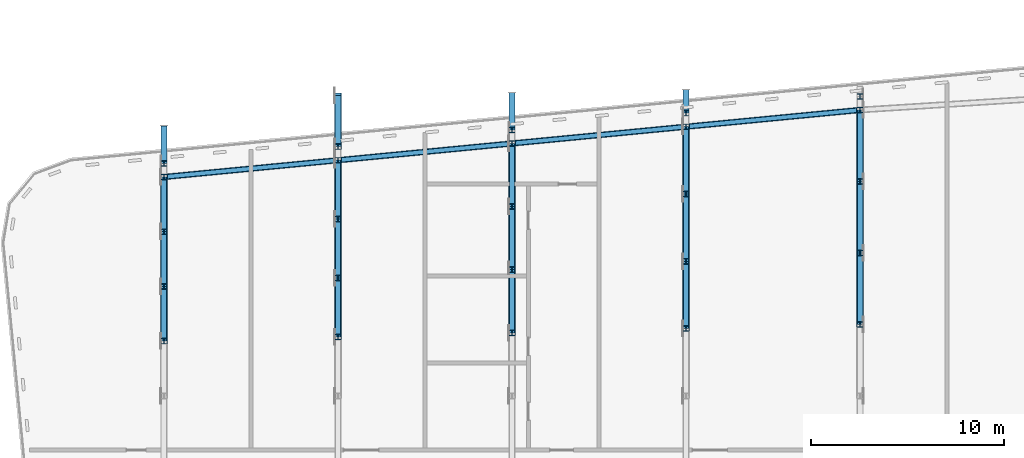
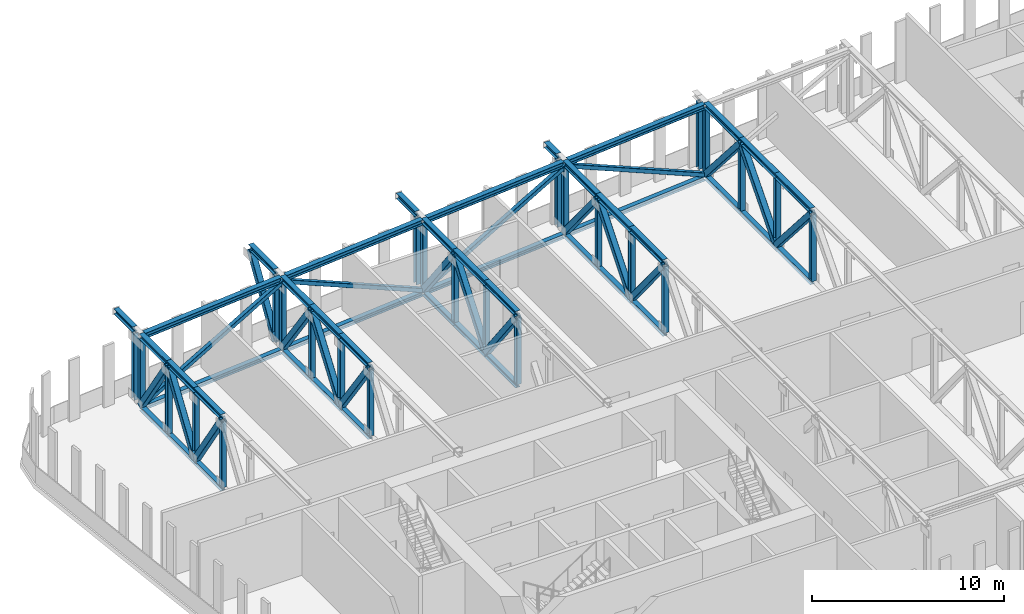
# One storey, part 4 of 26: 87 members.
"""IFC4 building model written with IfcOpenShell, lengths in metres."""

import ifcopenshell
import ifcopenshell.guid

model = None  # the IFC model being written
_history = None  # IfcOwnerHistory: only IFC2X3 demands one
_inside = {}  # id of a spatial element -> (the spatial element, [elements in it])
_under = {}  # id of a project, library or spatial element -> (it, [spatial elements below it])
_declared = {}  # id of a project -> (the project, [libraries it declares])
_typed = {}  # id of a type object -> (the type object, [elements of that type])
_made_of = {}  # id of a material, layer set ... -> (it, [elements and type objects made of it])


def new_model(schema):
    """Start an empty IFC model of exactly this schema.

    Asked for "IFC4X3", IfcOpenShell would pick the latest addendum, in which some entities
    have other attributes; the version numbers below select the first issue.
    IFC2X3 requires an IfcOwnerHistory on every rooted entity: one is made here for all.
    """
    global model, _history
    if schema == "IFC4X3":
        model = ifcopenshell.file(schema_version=(4, 3, 0, 0))
    else:
        model = ifcopenshell.file(schema=schema)
    _inside.clear()
    _under.clear()
    _declared.clear()
    _typed.clear()
    _made_of.clear()
    _history = None
    if model.schema == "IFC2X3":
        org = make("IfcOrganization", Name="unknown")
        user = make(
            "IfcPersonAndOrganization",
            ThePerson=make("IfcPerson", FamilyName="unknown"),
            TheOrganization=org,
        )
        app = make(
            "IfcApplication",
            ApplicationDeveloper=org,
            Version="unknown",
            ApplicationFullName="unknown",
            ApplicationIdentifier="unknown",
        )
        _history = make(
            "IfcOwnerHistory",
            OwningUser=user,
            OwningApplication=app,
            ChangeAction="ADDED",
            CreationDate=0,
        )
    return model


def make(cls, **values):
    """One entity of the class cls with the attributes given. An attribute that is None is left unset."""
    return model.create_entity(
        cls, **{name: value for name, value in values.items() if value is not None}
    )


def rooted(cls, **values):
    """An entity with a GlobalId (a new one), such as an element, a storey or a relation."""
    return make(cls, GlobalId=ifcopenshell.guid.new(), OwnerHistory=_history, **values)


def si_unit(unit_type, name, prefix=None):
    """IfcSIUnit, for example si_unit("LENGTHUNIT", "METRE", prefix="MILLI")."""
    return make("IfcSIUnit", UnitType=unit_type, Prefix=prefix, Name=name)


def assignment(units):
    """IfcUnitAssignment: the units of a project."""
    return None if units is None else make("IfcUnitAssignment", Units=units)


def point(xyz):
    """IfcCartesianPoint."""
    return None if xyz is None else make("IfcCartesianPoint", Coordinates=xyz)


def direction(xyz):
    """IfcDirection."""
    return None if xyz is None else make("IfcDirection", DirectionRatios=xyz)


def frame(location, z_axis=None, x_axis=None):
    """IfcAxis2Placement3D, a coordinate frame: its origin and axes. An axis left out is left unset."""
    return make(
        "IfcAxis2Placement3D",
        Location=point(location),
        Axis=direction(z_axis),
        RefDirection=direction(x_axis),
    )


def frame_2d(location, x_axis=None):
    """IfcAxis2Placement2D, a coordinate frame in the plane: its origin and x axis."""
    return make(
        "IfcAxis2Placement2D", Location=point(location), RefDirection=direction(x_axis)
    )


def origin():
    """The frame at (0, 0, 0) with its axes left unset."""
    return frame((0.0, 0.0, 0.0))


def origin_2d():
    """The frame at (0, 0) in the plane with its x axis left unset."""
    return frame_2d((0.0, 0.0))


def place(relative_to, where):
    """IfcLocalPlacement: puts the frame where relative to a parent placement (None: the world)."""
    return make(
        "IfcLocalPlacement", PlacementRelTo=relative_to, RelativePlacement=where
    )


def context(
    kind, dimensions, precision=None, world=None, true_north=None, identifier=None
):
    """IfcGeometricRepresentationContext, for example the 3D "Model" context."""
    return make(
        "IfcGeometricRepresentationContext",
        ContextIdentifier=identifier,
        ContextType=kind,
        CoordinateSpaceDimension=dimensions,
        Precision=precision,
        WorldCoordinateSystem=world,
        TrueNorth=true_north,
    )


def subcontext(parent, identifier, kind, view, scale=None):
    """IfcGeometricRepresentationSubContext, for example "Body" below "Model"."""
    return make(
        "IfcGeometricRepresentationSubContext",
        ContextIdentifier=identifier,
        ContextType=kind,
        ParentContext=parent,
        TargetScale=scale,
        TargetView=view,
    )


def project(units=None, contexts=None):
    """IfcProject with its units and contexts."""
    return rooted(
        "IfcProject",
        Name="project",
        RepresentationContexts=contexts,
        UnitsInContext=assignment(units),
    )


def spatial(cls, under=None, at=None, **own):
    """A site, building, storey or space (cls), placed at a placement, below another one or the project."""
    s = rooted(cls, ObjectPlacement=at, **own)
    if under is not None:
        _under.setdefault(under.id(), (under, []))[1].append(s)
    return s


def profile(cls, at=None, kind="AREA", **sizes):
    """A parametric profile (cls). Its sizes go by their IFC names, for example OverallWidth=200.0."""
    return make(cls, ProfileType=kind, Position=at, **sizes)


def hollow_rectangle(**sizes):
    """IfcRectangleHollowProfileDef."""
    return profile("IfcRectangleHollowProfileDef", **sizes)


def i_section(**sizes):
    """IfcIShapeProfileDef."""
    return profile("IfcIShapeProfileDef", **sizes)


def extrude(swept, where, along, depth):
    """IfcExtrudedAreaSolid: the profile swept, set in the frame where, extruded along a direction by depth."""
    return make(
        "IfcExtrudedAreaSolid",
        SweptArea=swept,
        Position=where,
        ExtrudedDirection=direction(along),
        Depth=depth,
    )


def shape(context_of_items, identifier, shape_type, items):
    """IfcShapeRepresentation: the items that make up one representation, for example the "Body"."""
    return make(
        "IfcShapeRepresentation",
        ContextOfItems=context_of_items,
        RepresentationIdentifier=identifier,
        RepresentationType=shape_type,
        Items=items,
    )


def material(Name=None, Category=None):
    """IfcMaterial."""
    return make("IfcMaterial", Name=Name, Category=Category)


def material_profile(
    of_material, cross_section, Name=None, Category=None, Priority=None
):
    """IfcMaterialProfile: a cross section and its material."""
    return make(
        "IfcMaterialProfile",
        Name=Name,
        Material=of_material,
        Profile=cross_section,
        Priority=Priority,
        Category=Category,
    )


def profile_set(profiles, Name=None, composite=None):
    """IfcMaterialProfileSet."""
    return make(
        "IfcMaterialProfileSet",
        Name=Name,
        MaterialProfiles=profiles,
        CompositeProfile=composite,
    )


def made_of(thing, what):
    """Note that an element or type object is made of a material, layer set ...; save() writes the relation."""
    if what is not None:
        _made_of.setdefault(what.id(), (what, []))[1].append(thing)
    return thing


def type_object(cls, material=None, **own):
    """A type object (cls), such as IfcWallType, which elements share."""
    return made_of(rooted(cls, **own), material)


def element(
    cls,
    number,
    at=None,
    inside=None,
    cuts=None,
    type_object=None,
    material=None,
    context=None,
    identifier="Body",
    shape_type=None,
    held_by="IfcProductDefinitionShape",
    body=None,
    shapes=None,
    **own,
):
    """One element of the class cls, such as IfcWall. Its Tag is "e" and its number.

    at: its placement. inside: the storey or other place that contains it. cuts: it is an
    opening in that element (IfcRelVoidsElement). A single representation is given by context,
    identifier, shape_type and body (its items); several are given by shapes. held_by: the class
    of the entity that holds the representations. save() writes the other relations.
    """
    e = rooted(cls, Tag="e%d" % number, ObjectPlacement=at, **own)
    if body is not None:
        shapes = [shape(context, identifier, shape_type, body)]
    if shapes is not None:
        e.Representation = make(held_by, Representations=shapes)
    if inside is not None:
        _inside.setdefault(inside.id(), (inside, []))[1].append(e)
    if cuts is not None:
        rooted(
            "IfcRelVoidsElement", RelatingBuildingElement=cuts, RelatedOpeningElement=e
        )
    if type_object is not None:
        _typed.setdefault(type_object.id(), (type_object, []))[1].append(e)
    return made_of(e, material)


def aggregate(whole, parts):
    """IfcRelAggregates: a whole, such as a stair, and the parts it consists of."""
    return rooted("IfcRelAggregates", RelatingObject=whole, RelatedObjects=parts)


def save(model, path):
    """Write the relations noted so far, then the file.

    IfcRelAggregates (storeys below a building ...), IfcRelContainedInSpatialStructure (elements
    in a storey), IfcRelDefinesByType, IfcRelAssociatesMaterial and IfcRelDeclares: one each for
    every whole, place, type object, material and project.
    """
    for whole, parts in _under.values():
        aggregate(whole, parts)
    for where, things in _inside.values():
        rooted(
            "IfcRelContainedInSpatialStructure",
            RelatedElements=things,
            RelatingStructure=where,
        )
    for kind, things in _typed.values():
        rooted("IfcRelDefinesByType", RelatedObjects=things, RelatingType=kind)
    for what, things in _made_of.values():
        rooted("IfcRelAssociatesMaterial", RelatedObjects=things, RelatingMaterial=what)
    for by, libraries in _declared.values():
        rooted("IfcRelDeclares", RelatingContext=by, RelatedDefinitions=libraries)
    model.write(path)


model = new_model("IFC4")

# Units and contexts
model_context = context("Model", 3, precision=1e-05, world=origin(), true_north=direction((0.0, 1.0)))
body_context = subcontext(model_context, "Body", "Model", "MODEL_VIEW")
ifc_project = project(units=[si_unit("LENGTHUNIT", "METRE"), si_unit("AREAUNIT", "SQUARE_METRE"), si_unit("VOLUMEUNIT", "CUBIC_METRE"), si_unit("PLANEANGLEUNIT", "RADIAN"), si_unit("MASSUNIT", "GRAM", prefix="KILO")], contexts=[model_context])

# Site, building, storey
site_placement = place(None, origin())
site = spatial("IfcSite", under=ifc_project, at=site_placement, CompositionType="ELEMENT")
building_placement = place(site_placement, origin())
building = spatial("IfcBuilding", under=site, at=building_placement, Name="Kajstack Hotel Tower", CompositionType="ELEMENT")
storey_placement = place(building_placement, frame((0.0, 0.0, 206.5)))
storey = spatial("IfcBuildingStorey", under=building, at=storey_placement, Name="L50", CompositionType="ELEMENT", Elevation=206.5)

# Members
ifc_material = material(Name="Steel S355J2", Category="steel")
ifc_material_profile_1 = material_profile(ifc_material, i_section(OverallWidth=0.280029296875, OverallDepth=0.280029296875, WebThickness=0.010498046875, FlangeThickness=0.01806640625, FilletRadius=0.02392578125, at=origin_2d()), Name="HEB 280")
ifc_profile_set_1 = profile_set([ifc_material_profile_1], Name="Steel S355J2")
member_type_1 = type_object("IfcMemberType", Name="Belt truss bottom chord BB4 HEB 280", PredefinedType="CHORD", material=ifc_profile_set_1)
for number, where, z_axis, x_axis, name in (
    (1, (-35.860595703125, 15.83642578125, -0.139892578125), (0.995395234309, 0.095855764124, 0.0), (-0.095855764124, 0.995395234309, 0.0), "S-belt-truss-L50-n01-b"),
    (2, (-26.860595703125, 16.703125, -0.139892578125), (0.995395234309, 0.095855764124, 0.0), (-0.095855764124, 0.995395234309, 0.0), "S-belt-truss-L50-n02-b"),
    (3, (-17.860595703125, 17.569580078125, -0.139892578125), (0.995395234309, 0.095855764124, 0.0), (-0.095855764124, 0.995395234309, 0.0), "S-belt-truss-L50-n03-b"),
    (4, (-8.860595703125, 18.436279296875, -0.139892578125), (0.995395234309, 0.095855764124, 0.0), (-0.095855764124, 0.995395234309, 0.0), "S-belt-truss-L50-n04-b"),
):
    element("IfcMember", number, at=place(storey_placement, frame(where, z_axis=z_axis, x_axis=x_axis)), inside=storey, type_object=member_type_1, Name=name, PredefinedType="CHORD", context=body_context, shape_type="SweptSolid", body=[
        extrude(i_section(OverallWidth=0.280029296875, OverallDepth=0.280029296875, WebThickness=0.010498046875, FlangeThickness=0.01806640625, FilletRadius=0.02392578125, at=origin_2d()), origin(), (0.0, 0.0, 1.0), 8.761474609375),
    ])
ifc_material_profile_2 = material_profile(ifc_material, i_section(OverallWidth=0.280029296875, OverallDepth=0.280029296875, WebThickness=0.010498046875, FlangeThickness=0.01806640625, FilletRadius=0.02392578125, at=origin_2d()), Name="HEB 280")
ifc_profile_set_2 = profile_set([ifc_material_profile_2], Name="Steel S355J2")
member_type_2 = type_object("IfcMemberType", Name="Belt truss bottom chord BC4 HEB 280", PredefinedType="CHORD", material=ifc_profile_set_2)
member_1_placement = place(storey_placement, frame((-36.0, 7.330810546875, -0.139892578125), z_axis=(0.0, 1.0, 0.0), x_axis=(-1.0, 0.0, 0.0)))
element("IfcMember", 5, at=member_1_placement, inside=storey, type_object=member_type_2, Name="S-belt-truss-L50--36p0-1-bc10", PredefinedType="CHORD", context=body_context, shape_type="SweptSolid", body=[
    extrude(i_section(OverallWidth=0.280029296875, OverallDepth=0.280029296875, WebThickness=0.010498046875, FlangeThickness=0.01806640625, FilletRadius=0.02392578125, at=origin_2d()), origin(), (0.0, 0.0, 1.0), 2.830810546875),
])
member_2_placement = place(storey_placement, frame((-36.0, 10.16162109375, -0.139892578125), z_axis=(0.0, 1.0, 0.0), x_axis=(-1.0, 0.0, 0.0)))
element("IfcMember", 6, at=member_2_placement, inside=storey, type_object=member_type_2, Name="S-belt-truss-L50--36p0-1-bc11", PredefinedType="CHORD", context=body_context, shape_type="SweptSolid", body=[
    extrude(i_section(OverallWidth=0.280029296875, OverallDepth=0.280029296875, WebThickness=0.010498046875, FlangeThickness=0.01806640625, FilletRadius=0.02392578125, at=origin_2d()), origin(), (0.0, 0.0, 1.0), 2.83056640625),
])
member_3_placement = place(storey_placement, frame((-36.0, 12.9921875, -0.139892578125), z_axis=(0.0, 1.0, 0.0), x_axis=(-1.0, 0.0, 0.0)))
element("IfcMember", 7, at=member_3_placement, inside=storey, type_object=member_type_2, Name="S-belt-truss-L50--36p0-1-bc12", PredefinedType="CHORD", context=body_context, shape_type="SweptSolid", body=[
    extrude(i_section(OverallWidth=0.280029296875, OverallDepth=0.280029296875, WebThickness=0.010498046875, FlangeThickness=0.01806640625, FilletRadius=0.02392578125, at=origin_2d()), origin(), (0.0, 0.0, 1.0), 2.830810546875),
])
member_4_placement = place(storey_placement, frame((-27.0, 7.54736328125, -0.139892578125), z_axis=(0.0, 1.0, 0.0), x_axis=(-1.0, 0.0, 0.0)))
element("IfcMember", 8, at=member_4_placement, inside=storey, type_object=member_type_2, Name="S-outrigger-truss-L50--27p0-1-bc10", PredefinedType="CHORD", context=body_context, shape_type="SweptSolid", body=[
    extrude(i_section(OverallWidth=0.280029296875, OverallDepth=0.280029296875, WebThickness=0.010498046875, FlangeThickness=0.01806640625, FilletRadius=0.02392578125, at=origin_2d()), origin(), (0.0, 0.0, 1.0), 3.04736328125),
])
member_5_placement = place(storey_placement, frame((-27.0, 10.5947265625, -0.139892578125), z_axis=(0.0, 1.0, 0.0), x_axis=(-1.0, 0.0, 0.0)))
element("IfcMember", 9, at=member_5_placement, inside=storey, type_object=member_type_2, Name="S-outrigger-truss-L50--27p0-1-bc11", PredefinedType="CHORD", context=body_context, shape_type="SweptSolid", body=[
    extrude(i_section(OverallWidth=0.280029296875, OverallDepth=0.280029296875, WebThickness=0.010498046875, FlangeThickness=0.01806640625, FilletRadius=0.02392578125, at=origin_2d()), origin(), (0.0, 0.0, 1.0), 3.047607421875),
])
member_6_placement = place(storey_placement, frame((-27.0, 13.642333984375, -0.139892578125), z_axis=(0.0, 1.0, 0.0), x_axis=(-1.0, 0.0, 0.0)))
element("IfcMember", 10, at=member_6_placement, inside=storey, type_object=member_type_2, Name="S-outrigger-truss-L50--27p0-1-bc12", PredefinedType="CHORD", context=body_context, shape_type="SweptSolid", body=[
    extrude(i_section(OverallWidth=0.280029296875, OverallDepth=0.280029296875, WebThickness=0.010498046875, FlangeThickness=0.01806640625, FilletRadius=0.02392578125, at=origin_2d()), origin(), (0.0, 0.0, 1.0), 3.04736328125),
])
member_7_placement = place(storey_placement, frame((-18.0, 7.76416015625, -0.139892578125), z_axis=(0.0, 1.0, 0.0), x_axis=(-1.0, 0.0, 0.0)))
element("IfcMember", 11, at=member_7_placement, inside=storey, type_object=member_type_2, Name="S-outrigger-truss-L50--18p0-1-bc10", PredefinedType="CHORD", context=body_context, shape_type="SweptSolid", body=[
    extrude(i_section(OverallWidth=0.280029296875, OverallDepth=0.280029296875, WebThickness=0.010498046875, FlangeThickness=0.01806640625, FilletRadius=0.02392578125, at=origin_2d()), origin(), (0.0, 0.0, 1.0), 3.26416015625),
])
member_8_placement = place(storey_placement, frame((-18.0, 11.0283203125, -0.139892578125), z_axis=(0.0, 1.0, 0.0), x_axis=(-1.0, 0.0, 0.0)))
element("IfcMember", 12, at=member_8_placement, inside=storey, type_object=member_type_2, Name="S-outrigger-truss-L50--18p0-1-bc11", PredefinedType="CHORD", context=body_context, shape_type="SweptSolid", body=[
    extrude(i_section(OverallWidth=0.280029296875, OverallDepth=0.280029296875, WebThickness=0.010498046875, FlangeThickness=0.01806640625, FilletRadius=0.02392578125, at=origin_2d()), origin(), (0.0, 0.0, 1.0), 3.263916015625),
])
member_9_placement = place(storey_placement, frame((-18.0, 14.292236328125, -0.139892578125), z_axis=(0.0, 1.0, 0.0), x_axis=(-1.0, 0.0, 0.0)))
element("IfcMember", 13, at=member_9_placement, inside=storey, type_object=member_type_2, Name="S-outrigger-truss-L50--18p0-1-bc12", PredefinedType="CHORD", context=body_context, shape_type="SweptSolid", body=[
    extrude(i_section(OverallWidth=0.280029296875, OverallDepth=0.280029296875, WebThickness=0.010498046875, FlangeThickness=0.01806640625, FilletRadius=0.02392578125, at=origin_2d()), origin(), (0.0, 0.0, 1.0), 3.26416015625),
])
for number, where, z_axis, x_axis, name in (
    (14, (-9.0, 7.980712890625, -0.139892578125), (0.0, 1.0, 0.0), (-1.0, 0.0, 0.0), "S-belt-truss-L50--9p0-1-bc20"),
    (15, (-9.0, 11.46142578125, -0.139892578125), (0.0, 1.0, 0.0), (-1.0, 0.0, 0.0), "S-belt-truss-L50--9p0-1-bc21"),
    (16, (-9.0, 14.942138671875, -0.139892578125), (0.0, 1.0, 0.0), (-1.0, 0.0, 0.0), "S-belt-truss-L50--9p0-1-bc22"),
):
    element("IfcMember", number, at=place(storey_placement, frame(where, z_axis=z_axis, x_axis=x_axis)), inside=storey, type_object=member_type_2, Name=name, PredefinedType="CHORD", context=body_context, shape_type="SweptSolid", body=[
        extrude(i_section(OverallWidth=0.280029296875, OverallDepth=0.280029296875, WebThickness=0.010498046875, FlangeThickness=0.01806640625, FilletRadius=0.02392578125, at=origin_2d()), origin(), (0.0, 0.0, 1.0), 3.480712890625),
    ])
for number, where, z_axis, x_axis, name in (
    (17, (0.0, 8.197509765625, -0.139892578125), (0.0, 1.0, 0.0), (-1.0, 0.0, 0.0), "S-belt-truss-L50-+0p0-1-bc20"),
    (18, (0.0, 11.894775390625, -0.139892578125), (0.0, 1.0, 0.0), (-1.0, 0.0, 0.0), "S-belt-truss-L50-+0p0-1-bc21"),
):
    element("IfcMember", number, at=place(storey_placement, frame(where, z_axis=z_axis, x_axis=x_axis)), inside=storey, type_object=member_type_2, Name=name, PredefinedType="CHORD", context=body_context, shape_type="SweptSolid", body=[
        extrude(i_section(OverallWidth=0.280029296875, OverallDepth=0.280029296875, WebThickness=0.010498046875, FlangeThickness=0.01806640625, FilletRadius=0.02392578125, at=origin_2d()), origin(), (0.0, 0.0, 1.0), 3.697265625),
    ])
member_10_placement = place(storey_placement, frame((0.0, 15.592041015625, -0.139892578125), z_axis=(0.0, 1.0, 0.0), x_axis=(-1.0, 0.0, 0.0)))
element("IfcMember", 19, at=member_10_placement, inside=storey, type_object=member_type_2, Name="S-belt-truss-L50-+0p0-1-bc22", PredefinedType="CHORD", context=body_context, shape_type="SweptSolid", body=[
    extrude(i_section(OverallWidth=0.280029296875, OverallDepth=0.280029296875, WebThickness=0.010498046875, FlangeThickness=0.01806640625, FilletRadius=0.02392578125, at=origin_2d()), origin(), (0.0, 0.0, 1.0), 3.697509765625),
])
ifc_material_profile_3 = material_profile(ifc_material, hollow_rectangle(XDim=0.25, YDim=0.25, WallThickness=0.012451171875, InnerFilletRadius=0.012451171875, OuterFilletRadius=0.018798828125, at=origin_2d()), Name="SHS 250x250x12.5")
ifc_profile_set_3 = profile_set([ifc_material_profile_3], Name="Steel S355J2")
member_type_3 = type_object("IfcMemberType", Name="Belt truss diagonal BD4 SHS 250x250x12.5", PredefinedType="BRACE", material=ifc_profile_set_3)
for number, where, z_axis, x_axis, name in (
    (20, (-36.0, 15.822998046875, 0.0), (0.900455517268, 0.086713788148, 0.426216588564), (-0.095856468129, 0.995395166513, 0.0), "S-belt-truss-L50-n01-d"),
    (21, (-18.0, 17.556396484375, 0.0), (-0.900455517268, -0.086713788148, 0.426216588564), (0.095856468129, -0.995395166513, 0.0), "S-belt-truss-L50-n02-d"),
    (22, (-18.0, 17.556396484375, 0.0), (0.900457424267, 0.086689545321, 0.426217491212), (-0.095829714309, 0.995397742541, 0.0), "S-belt-truss-L50-n03-d"),
    (23, (0.0, 19.28955078125, 0.0), (-0.900455517268, -0.086713788148, 0.426216588564), (0.095856468129, -0.995395166513, 0.0), "S-belt-truss-L50-n04-d"),
):
    element("IfcMember", number, at=place(storey_placement, frame(where, z_axis=z_axis, x_axis=x_axis)), inside=storey, type_object=member_type_3, Name=name, PredefinedType="BRACE", context=body_context, shape_type="SweptSolid", body=[
        extrude(hollow_rectangle(XDim=0.25, YDim=0.25, WallThickness=0.012451171875, InnerFilletRadius=0.012451171875, OuterFilletRadius=0.018798828125, at=origin_2d()), origin(), (0.0, 0.0, 1.0), 9.994873046875),
    ])
ifc_material_profile_4 = material_profile(ifc_material, hollow_rectangle(XDim=0.35009765625, YDim=0.35009765625, WallThickness=0.01611328125, InnerFilletRadius=0.01611328125, OuterFilletRadius=0.02392578125, at=origin_2d()), Name="SHS 350x350x16")
ifc_profile_set_4 = profile_set([ifc_material_profile_4], Name="Steel S355J2")
member_type_4 = type_object("IfcMemberType", Name="Belt truss diagonal DG4 SHS 350x350x16", PredefinedType="BRACE", material=ifc_profile_set_4)
for number, where, z_axis, x_axis, name in (
    (24, (-36.0, 10.16162109375, 0.0), (0.0, -0.553454866624, 0.832879169274), (1.0, 0.0, 0.0), "S-belt-truss-L50--36p0-1-dg21"),
    (25, (-36.0, 10.16162109375, 0.0), (0.0, 0.553421754071, 0.832901171881), (-1.0, 0.0, 0.0), "S-belt-truss-L50--36p0-1-dg22"),
    (26, (-36.0, 15.822998046875, 0.0), (0.0, -0.553454866624, 0.832879169274), (1.0, 0.0, 0.0), "S-belt-truss-L50--36p0-1-dg23"),
):
    element("IfcMember", number, at=place(storey_placement, frame(where, z_axis=z_axis, x_axis=x_axis)), inside=storey, type_object=member_type_4, Name=name, PredefinedType="BRACE", context=body_context, shape_type="SweptSolid", body=[
        extrude(hollow_rectangle(XDim=0.35009765625, YDim=0.35009765625, WallThickness=0.01611328125, InnerFilletRadius=0.01611328125, OuterFilletRadius=0.02392578125, at=origin_2d()), origin(), (0.0, 0.0, 1.0), 5.11474609375),
    ])
for number, where, z_axis, x_axis, name in (
    (27, (-27.0, 10.5947265625, 0.0), (0.0, -0.581806840055, 0.813326995043), (1.0, 0.0, 0.0), "S-outrigger-truss-L50--27p0-1-dg21"),
    (28, (-27.0, 10.5947265625, 0.0), (0.0, 0.581837672457, 0.813304938452), (-1.0, 0.0, 0.0), "S-outrigger-truss-L50--27p0-1-dg22"),
    (29, (-27.0, 16.689697265625, 0.0), (0.0, -0.581806840055, 0.813326995043), (1.0, 0.0, 0.0), "S-outrigger-truss-L50--27p0-1-dg23"),
):
    element("IfcMember", number, at=place(storey_placement, frame(where, z_axis=z_axis, x_axis=x_axis)), inside=storey, type_object=member_type_4, Name=name, PredefinedType="BRACE", context=body_context, shape_type="SweptSolid", body=[
        extrude(hollow_rectangle(XDim=0.35009765625, YDim=0.35009765625, WallThickness=0.01611328125, InnerFilletRadius=0.01611328125, OuterFilletRadius=0.02392578125, at=origin_2d()), origin(), (0.0, 0.0, 1.0), 5.23779296875),
    ])
member_11_placement = place(storey_placement, frame((-27.0, 17.3896484375, 0.0), z_axis=(0.0, 0.52671514401, 0.85004185607), x_axis=(-1.0, 0.0, 0.0)))
element("IfcMember", 30, at=member_11_placement, inside=storey, type_object=member_type_4, Name="S-outrigger-truss-L50--27p0-1-st24", PredefinedType="BRACE", context=body_context, shape_type="SweptSolid", body=[
    extrude(hollow_rectangle(XDim=0.35009765625, YDim=0.35009765625, WallThickness=0.01611328125, InnerFilletRadius=0.01611328125, OuterFilletRadius=0.02392578125, at=origin_2d()), origin(), (0.0, 0.0, 1.0), 5.011474609375),
])
for number, where, z_axis, x_axis, name in (
    (31, (-18.0, 11.0283203125, 0.0), (0.0, -0.608214730374, 0.793772537794), (1.0, 0.0, 0.0), "S-outrigger-truss-L50--18p0-1-dg21"),
    (32, (-18.0, 11.0283203125, 0.0), (0.0, 0.608186066447, 0.79379450022), (-1.0, 0.0, 0.0), "S-outrigger-truss-L50--18p0-1-dg22"),
    (33, (-18.0, 17.556396484375, 0.0), (0.0, -0.608214730374, 0.793772537794), (1.0, 0.0, 0.0), "S-outrigger-truss-L50--18p0-1-dg23"),
):
    element("IfcMember", number, at=place(storey_placement, frame(where, z_axis=z_axis, x_axis=x_axis)), inside=storey, type_object=member_type_4, Name=name, PredefinedType="BRACE", context=body_context, shape_type="SweptSolid", body=[
        extrude(hollow_rectangle(XDim=0.35009765625, YDim=0.35009765625, WallThickness=0.01611328125, InnerFilletRadius=0.01611328125, OuterFilletRadius=0.02392578125, at=origin_2d()), origin(), (0.0, 0.0, 1.0), 5.36669921875),
    ])
for number, where, z_axis, x_axis, name in (
    (34, (-9.0, 11.46142578125, 0.0), (0.0, -0.632720472328, 0.77438027086), (1.0, 0.0, 0.0), "S-belt-truss-L50--9p0-1-dg41"),
    (35, (-9.0, 11.46142578125, 0.0), (0.0, 0.632720472328, 0.77438027086), (-1.0, 0.0, 0.0), "S-belt-truss-L50--9p0-1-dg42"),
    (36, (-9.0, 18.4228515625, 0.0), (0.0, -0.632720472328, 0.77438027086), (1.0, 0.0, 0.0), "S-belt-truss-L50--9p0-1-dg43"),
):
    element("IfcMember", number, at=place(storey_placement, frame(where, z_axis=z_axis, x_axis=x_axis)), inside=storey, type_object=member_type_4, Name=name, PredefinedType="BRACE", context=body_context, shape_type="SweptSolid", body=[
        extrude(hollow_rectangle(XDim=0.35009765625, YDim=0.35009765625, WallThickness=0.01611328125, InnerFilletRadius=0.01611328125, OuterFilletRadius=0.02392578125, at=origin_2d()), origin(), (0.0, 0.0, 1.0), 5.501220703125),
    ])
for number, where, z_axis, x_axis, name in (
    (37, (0.0, 11.894775390625, 0.0), (0.0, -0.65546261276, 0.755227623484), (1.0, 0.0, 0.0), "S-belt-truss-L50-+0p0-1-dg41"),
    (38, (0.0, 11.894775390625, 0.0), (0.0, 0.65546261276, 0.755227623484), (-1.0, 0.0, 0.0), "S-belt-truss-L50-+0p0-1-dg42"),
):
    element("IfcMember", number, at=place(storey_placement, frame(where, z_axis=z_axis, x_axis=x_axis)), inside=storey, type_object=member_type_4, Name=name, PredefinedType="BRACE", context=body_context, shape_type="SweptSolid", body=[
        extrude(hollow_rectangle(XDim=0.35009765625, YDim=0.35009765625, WallThickness=0.01611328125, InnerFilletRadius=0.01611328125, OuterFilletRadius=0.02392578125, at=origin_2d()), origin(), (0.0, 0.0, 1.0), 5.640625),
    ])
member_12_placement = place(storey_placement, frame((0.0, 19.28955078125, 0.0), z_axis=(0.0, -0.65548729841, 0.755206198083), x_axis=(1.0, 0.0, 0.0)))
element("IfcMember", 39, at=member_12_placement, inside=storey, type_object=member_type_4, Name="S-belt-truss-L50-+0p0-1-dg43", PredefinedType="BRACE", context=body_context, shape_type="SweptSolid", body=[
    extrude(hollow_rectangle(XDim=0.35009765625, YDim=0.35009765625, WallThickness=0.01611328125, InnerFilletRadius=0.01611328125, OuterFilletRadius=0.02392578125, at=origin_2d()), origin(), (0.0, 0.0, 1.0), 5.640869140625),
])
ifc_material_profile_5 = material_profile(ifc_material, i_section(OverallWidth=0.280029296875, OverallDepth=0.280029296875, WebThickness=0.010498046875, FlangeThickness=0.01806640625, FilletRadius=0.02392578125, at=origin_2d()), Name="HEB 280")
ifc_profile_set_5 = profile_set([ifc_material_profile_5], Name="Steel S355J2")
member_type_5 = type_object("IfcMemberType", Name="Belt truss post PO4 HEB 280", PredefinedType="POST", material=ifc_profile_set_5)
for number, where, z_axis, x_axis, name in (
    (40, (-36.0, 7.330810546875, 0.0), (0.0, 0.0, 1.0), (1.0, 0.0, 0.0), "S-belt-truss-L50--36p0-1-po15"),
    (41, (-36.0, 10.16162109375, 0.0), (0.0, 0.0, 1.0), (1.0, 0.0, 0.0), "S-belt-truss-L50--36p0-1-po16"),
    (42, (-36.0, 12.9921875, 0.0), (0.0, 0.0, 1.0), (1.0, 0.0, 0.0), "S-belt-truss-L50--36p0-1-po17"),
    (43, (-36.0, 15.822998046875, 0.0), (0.0, 0.0, 1.0), (1.0, 0.0, 0.0), "S-belt-truss-L50--36p0-1-po18"),
    (44, (-36.0, 16.523193359375, 0.0), (0.0, 0.0, 1.0), (1.0, 0.0, 0.0), "S-belt-truss-L50--36p0-1-po19"),
    (45, (-27.0, 7.54736328125, 0.0), (0.0, 0.0, 1.0), (1.0, 0.0, 0.0), "S-outrigger-truss-L50--27p0-1-po15"),
    (46, (-27.0, 10.5947265625, 0.0), (0.0, 0.0, 1.0), (1.0, 0.0, 0.0), "S-outrigger-truss-L50--27p0-1-po16"),
    (47, (-27.0, 13.642333984375, 0.0), (0.0, 0.0, 1.0), (1.0, 0.0, 0.0), "S-outrigger-truss-L50--27p0-1-po17"),
    (48, (-27.0, 16.689697265625, 0.0), (0.0, 0.0, 1.0), (1.0, 0.0, 0.0), "S-outrigger-truss-L50--27p0-1-po18"),
    (49, (-27.0, 17.3896484375, 0.0), (0.0, 0.0, 1.0), (1.0, 0.0, 0.0), "S-outrigger-truss-L50--27p0-1-po19"),
    (50, (-18.0, 7.76416015625, 0.0), (0.0, 0.0, 1.0), (1.0, 0.0, 0.0), "S-outrigger-truss-L50--18p0-1-po15"),
    (51, (-18.0, 11.0283203125, 0.0), (0.0, 0.0, 1.0), (1.0, 0.0, 0.0), "S-outrigger-truss-L50--18p0-1-po16"),
    (52, (-18.0, 14.292236328125, 0.0), (0.0, 0.0, 1.0), (1.0, 0.0, 0.0), "S-outrigger-truss-L50--18p0-1-po17"),
    (53, (-18.0, 17.556396484375, 0.0), (0.0, 0.0, 1.0), (1.0, 0.0, 0.0), "S-outrigger-truss-L50--18p0-1-po18"),
    (54, (-18.0, 18.25634765625, 0.0), (0.0, 0.0, 1.0), (1.0, 0.0, 0.0), "S-outrigger-truss-L50--18p0-1-po19"),
    (55, (-9.0, 7.980712890625, 0.0), (0.0, 0.0, 1.0), (1.0, 0.0, 0.0), "S-belt-truss-L50--9p0-1-po31"),
    (56, (-9.0, 11.46142578125, 0.0), (0.0, 0.0, 1.0), (1.0, 0.0, 0.0), "S-belt-truss-L50--9p0-1-po32"),
    (57, (-9.0, 14.942138671875, 0.0), (0.0, 0.0, 1.0), (1.0, 0.0, 0.0), "S-belt-truss-L50--9p0-1-po33"),
    (58, (-9.0, 18.4228515625, 0.0), (0.0, 0.0, 1.0), (1.0, 0.0, 0.0), "S-belt-truss-L50--9p0-1-po34"),
    (59, (-9.0, 19.122802734375, 0.0), (0.0, 0.0, 1.0), (1.0, 0.0, 0.0), "S-belt-truss-L50--9p0-1-po35"),
    (60, (0.0, 8.197509765625, 0.0), (0.0, 0.0, 1.0), (1.0, 0.0, 0.0), "S-belt-truss-L50-+0p0-1-po31"),
    (61, (0.0, 11.894775390625, 0.0), (0.0, 0.0, 1.0), (1.0, 0.0, 0.0), "S-belt-truss-L50-+0p0-1-po32"),
    (62, (0.0, 15.592041015625, 0.0), (0.0, 0.0, 1.0), (1.0, 0.0, 0.0), "S-belt-truss-L50-+0p0-1-po33"),
    (63, (0.0, 19.28955078125, 0.0), (0.0, 0.0, 1.0), (1.0, 0.0, 0.0), "S-belt-truss-L50-+0p0-1-po34"),
    (64, (0.0, 19.989501953125, 0.0), (0.0, 0.0, 1.0), (1.0, 0.0, 0.0), "S-belt-truss-L50-+0p0-1-po35"),
):
    element("IfcMember", number, at=place(storey_placement, frame(where, z_axis=z_axis, x_axis=x_axis)), inside=storey, type_object=member_type_5, Name=name, PredefinedType="POST", context=body_context, shape_type="SweptSolid", body=[
        extrude(i_section(OverallWidth=0.280029296875, OverallDepth=0.280029296875, WebThickness=0.010498046875, FlangeThickness=0.01806640625, FilletRadius=0.02392578125, at=origin_2d()), origin(), (0.0, 0.0, 1.0), 4.260009765625),
    ])
ifc_material_profile_6 = material_profile(ifc_material, i_section(OverallWidth=0.300048828125, OverallDepth=0.340087890625, WebThickness=0.011962890625, FlangeThickness=0.021484375, FilletRadius=0.027099609375, at=origin_2d()), Name="HEB 340")
ifc_profile_set_6 = profile_set([ifc_material_profile_6], Name="Steel S355J2")
member_type_6 = type_object("IfcMemberType", Name="Belt truss top chord BT4 HEB 340", PredefinedType="CHORD", material=ifc_profile_set_6)
for number, where, z_axis, x_axis, name in (
    (65, (-35.8505859375, 15.83740234375, 4.429931640625), (0.995395510024, 0.095852900965, 0.0), (-0.095852900965, 0.995395510024, 0.0), "S-belt-truss-L50-n01-t"),
    (66, (-26.8505859375, 16.7041015625, 4.429931640625), (0.995395510024, 0.095852900965, 0.0), (-0.095852900965, 0.995395510024, 0.0), "S-belt-truss-L50-n02-t"),
    (67, (-17.8505859375, 17.57080078125, 4.429931640625), (0.995398174412, 0.095825228294, 0.0), (-0.095825228294, 0.995398174412, 0.0), "S-belt-truss-L50-n03-t"),
    (68, (-8.8505859375, 18.437255859375, 4.429931640625), (0.995395510024, 0.095852900965, 0.0), (-0.095852900965, 0.995395510024, 0.0), "S-belt-truss-L50-n04-t"),
):
    element("IfcMember", number, at=place(storey_placement, frame(where, z_axis=z_axis, x_axis=x_axis)), inside=storey, type_object=member_type_6, Name=name, PredefinedType="CHORD", context=body_context, shape_type="SweptSolid", body=[
        extrude(i_section(OverallWidth=0.300048828125, OverallDepth=0.340087890625, WebThickness=0.011962890625, FlangeThickness=0.021484375, FilletRadius=0.027099609375, at=origin_2d()), origin(), (0.0, 0.0, 1.0), 8.741455078125),
    ])
ifc_material_profile_7 = material_profile(ifc_material, i_section(OverallWidth=0.300048828125, OverallDepth=0.340087890625, WebThickness=0.011962890625, FlangeThickness=0.021484375, FilletRadius=0.027099609375, at=origin_2d()), Name="HEB 340")
ifc_profile_set_7 = profile_set([ifc_material_profile_7], Name="Steel S355J2")
member_type_7 = type_object("IfcMemberType", Name="Belt truss top chord TC4 HEB 340", PredefinedType="CHORD", material=ifc_profile_set_7)
member_13_placement = place(storey_placement, frame((-36.0, 7.330810546875, 4.429931640625), z_axis=(0.0, 1.0, 0.0), x_axis=(-1.0, 0.0, 0.0)))
element("IfcMember", 69, at=member_13_placement, inside=storey, type_object=member_type_7, Name="S-belt-truss-L50--36p0-1-tc3", PredefinedType="CHORD", context=body_context, shape_type="SweptSolid", body=[
    extrude(i_section(OverallWidth=0.300048828125, OverallDepth=0.340087890625, WebThickness=0.011962890625, FlangeThickness=0.021484375, FilletRadius=0.027099609375, at=origin_2d()), origin(), (0.0, 0.0, 1.0), 2.830810546875),
])
member_14_placement = place(storey_placement, frame((-36.0, 10.16162109375, 4.429931640625), z_axis=(0.0, 1.0, 0.0), x_axis=(-1.0, 0.0, 0.0)))
element("IfcMember", 70, at=member_14_placement, inside=storey, type_object=member_type_7, Name="S-belt-truss-L50--36p0-1-tc4", PredefinedType="CHORD", context=body_context, shape_type="SweptSolid", body=[
    extrude(i_section(OverallWidth=0.300048828125, OverallDepth=0.340087890625, WebThickness=0.011962890625, FlangeThickness=0.021484375, FilletRadius=0.027099609375, at=origin_2d()), origin(), (0.0, 0.0, 1.0), 2.83056640625),
])
member_15_placement = place(storey_placement, frame((-36.0, 12.9921875, 4.429931640625), z_axis=(0.0, 1.0, 0.0), x_axis=(-1.0, 0.0, 0.0)))
element("IfcMember", 71, at=member_15_placement, inside=storey, type_object=member_type_7, Name="S-belt-truss-L50--36p0-1-tc5", PredefinedType="CHORD", context=body_context, shape_type="SweptSolid", body=[
    extrude(i_section(OverallWidth=0.300048828125, OverallDepth=0.340087890625, WebThickness=0.011962890625, FlangeThickness=0.021484375, FilletRadius=0.027099609375, at=origin_2d()), origin(), (0.0, 0.0, 1.0), 2.830810546875),
])
member_16_placement = place(storey_placement, frame((-36.0, 16.523193359375, 4.429931640625), z_axis=(0.0, 1.0, 0.0), x_axis=(-1.0, 0.0, 0.0)))
element("IfcMember", 72, at=member_16_placement, inside=storey, type_object=member_type_7, Name="S-belt-truss-L50--36p0-1-tc7", PredefinedType="CHORD", context=body_context, shape_type="SweptSolid", body=[
    extrude(i_section(OverallWidth=0.300048828125, OverallDepth=0.340087890625, WebThickness=0.011962890625, FlangeThickness=0.021484375, FilletRadius=0.027099609375, at=origin_2d()), origin(), (0.0, 0.0, 1.0), 1.946044921875),
])
member_17_placement = place(storey_placement, frame((-27.0, 7.54736328125, 4.429931640625), z_axis=(0.0, 1.0, 0.0), x_axis=(-1.0, 0.0, 0.0)))
element("IfcMember", 73, at=member_17_placement, inside=storey, type_object=member_type_7, Name="S-outrigger-truss-L50--27p0-1-tc3", PredefinedType="CHORD", context=body_context, shape_type="SweptSolid", body=[
    extrude(i_section(OverallWidth=0.300048828125, OverallDepth=0.340087890625, WebThickness=0.011962890625, FlangeThickness=0.021484375, FilletRadius=0.027099609375, at=origin_2d()), origin(), (0.0, 0.0, 1.0), 3.04736328125),
])
member_18_placement = place(storey_placement, frame((-27.0, 10.5947265625, 4.429931640625), z_axis=(0.0, 1.0, 0.0), x_axis=(-1.0, 0.0, 0.0)))
element("IfcMember", 74, at=member_18_placement, inside=storey, type_object=member_type_7, Name="S-outrigger-truss-L50--27p0-1-tc4", PredefinedType="CHORD", context=body_context, shape_type="SweptSolid", body=[
    extrude(i_section(OverallWidth=0.300048828125, OverallDepth=0.340087890625, WebThickness=0.011962890625, FlangeThickness=0.021484375, FilletRadius=0.027099609375, at=origin_2d()), origin(), (0.0, 0.0, 1.0), 3.047607421875),
])
member_19_placement = place(storey_placement, frame((-27.0, 13.642333984375, 4.429931640625), z_axis=(0.0, 1.0, 0.0), x_axis=(-1.0, 0.0, 0.0)))
element("IfcMember", 75, at=member_19_placement, inside=storey, type_object=member_type_7, Name="S-outrigger-truss-L50--27p0-1-tc5", PredefinedType="CHORD", context=body_context, shape_type="SweptSolid", body=[
    extrude(i_section(OverallWidth=0.300048828125, OverallDepth=0.340087890625, WebThickness=0.011962890625, FlangeThickness=0.021484375, FilletRadius=0.027099609375, at=origin_2d()), origin(), (0.0, 0.0, 1.0), 3.04736328125),
])
member_20_placement = place(storey_placement, frame((-27.0, 17.3896484375, 4.429931640625), z_axis=(0.0, 1.0, 0.0), x_axis=(-1.0, 0.0, 0.0)))
element("IfcMember", 76, at=member_20_placement, inside=storey, type_object=member_type_7, Name="S-outrigger-truss-L50--27p0-1-tc7", PredefinedType="CHORD", context=body_context, shape_type="SweptSolid", body=[
    extrude(i_section(OverallWidth=0.300048828125, OverallDepth=0.340087890625, WebThickness=0.011962890625, FlangeThickness=0.021484375, FilletRadius=0.027099609375, at=origin_2d()), origin(), (0.0, 0.0, 1.0), 2.6396484375),
])
member_21_placement = place(storey_placement, frame((-18.0, 7.76416015625, 4.429931640625), z_axis=(0.0, 1.0, 0.0), x_axis=(-1.0, 0.0, 0.0)))
element("IfcMember", 77, at=member_21_placement, inside=storey, type_object=member_type_7, Name="S-outrigger-truss-L50--18p0-1-tc3", PredefinedType="CHORD", context=body_context, shape_type="SweptSolid", body=[
    extrude(i_section(OverallWidth=0.300048828125, OverallDepth=0.340087890625, WebThickness=0.011962890625, FlangeThickness=0.021484375, FilletRadius=0.027099609375, at=origin_2d()), origin(), (0.0, 0.0, 1.0), 3.26416015625),
])
member_22_placement = place(storey_placement, frame((-18.0, 11.0283203125, 4.429931640625), z_axis=(0.0, 1.0, 0.0), x_axis=(-1.0, 0.0, 0.0)))
element("IfcMember", 78, at=member_22_placement, inside=storey, type_object=member_type_7, Name="S-outrigger-truss-L50--18p0-1-tc4", PredefinedType="CHORD", context=body_context, shape_type="SweptSolid", body=[
    extrude(i_section(OverallWidth=0.300048828125, OverallDepth=0.340087890625, WebThickness=0.011962890625, FlangeThickness=0.021484375, FilletRadius=0.027099609375, at=origin_2d()), origin(), (0.0, 0.0, 1.0), 3.263916015625),
])
member_23_placement = place(storey_placement, frame((-18.0, 14.292236328125, 4.429931640625), z_axis=(0.0, 1.0, 0.0), x_axis=(-1.0, 0.0, 0.0)))
element("IfcMember", 79, at=member_23_placement, inside=storey, type_object=member_type_7, Name="S-outrigger-truss-L50--18p0-1-tc5", PredefinedType="CHORD", context=body_context, shape_type="SweptSolid", body=[
    extrude(i_section(OverallWidth=0.300048828125, OverallDepth=0.340087890625, WebThickness=0.011962890625, FlangeThickness=0.021484375, FilletRadius=0.027099609375, at=origin_2d()), origin(), (0.0, 0.0, 1.0), 3.26416015625),
])
member_24_placement = place(storey_placement, frame((-18.0, 18.25634765625, 4.429931640625), z_axis=(0.0, 1.0, 0.0), x_axis=(-1.0, 0.0, 0.0)))
element("IfcMember", 80, at=member_24_placement, inside=storey, type_object=member_type_7, Name="S-outrigger-truss-L50--18p0-1-tc7", PredefinedType="CHORD", context=body_context, shape_type="SweptSolid", body=[
    extrude(i_section(OverallWidth=0.300048828125, OverallDepth=0.340087890625, WebThickness=0.011962890625, FlangeThickness=0.021484375, FilletRadius=0.027099609375, at=origin_2d()), origin(), (0.0, 0.0, 1.0), 1.93017578125),
])
for number, where, z_axis, x_axis, name in (
    (81, (-9.0, 7.980712890625, 4.429931640625), (0.0, 1.0, 0.0), (-1.0, 0.0, 0.0), "S-belt-truss-L50--9p0-1-tc8"),
    (82, (-9.0, 11.46142578125, 4.429931640625), (0.0, 1.0, 0.0), (-1.0, 0.0, 0.0), "S-belt-truss-L50--9p0-1-tc9"),
    (83, (-9.0, 14.942138671875, 4.429931640625), (0.0, 1.0, 0.0), (-1.0, 0.0, 0.0), "S-belt-truss-L50--9p0-1-tc10"),
):
    element("IfcMember", number, at=place(storey_placement, frame(where, z_axis=z_axis, x_axis=x_axis)), inside=storey, type_object=member_type_7, Name=name, PredefinedType="CHORD", context=body_context, shape_type="SweptSolid", body=[
        extrude(i_section(OverallWidth=0.300048828125, OverallDepth=0.340087890625, WebThickness=0.011962890625, FlangeThickness=0.021484375, FilletRadius=0.027099609375, at=origin_2d()), origin(), (0.0, 0.0, 1.0), 3.480712890625),
    ])
member_25_placement = place(storey_placement, frame((-9.0, 19.122802734375, 4.429931640625), z_axis=(0.0, 1.0, 0.0), x_axis=(-1.0, 0.0, 0.0)))
element("IfcMember", 84, at=member_25_placement, inside=storey, type_object=member_type_7, Name="S-belt-truss-L50--9p0-1-tc12", PredefinedType="CHORD", context=body_context, shape_type="SweptSolid", body=[
    extrude(i_section(OverallWidth=0.300048828125, OverallDepth=0.340087890625, WebThickness=0.011962890625, FlangeThickness=0.021484375, FilletRadius=0.027099609375, at=origin_2d()), origin(), (0.0, 0.0, 1.0), 1.220703125),
])
for number, where, z_axis, x_axis, name in (
    (85, (0.0, 8.197509765625, 4.429931640625), (0.0, 1.0, 0.0), (-1.0, 0.0, 0.0), "S-belt-truss-L50-+0p0-1-tc8"),
    (86, (0.0, 11.894775390625, 4.429931640625), (0.0, 1.0, 0.0), (-1.0, 0.0, 0.0), "S-belt-truss-L50-+0p0-1-tc9"),
):
    element("IfcMember", number, at=place(storey_placement, frame(where, z_axis=z_axis, x_axis=x_axis)), inside=storey, type_object=member_type_7, Name=name, PredefinedType="CHORD", context=body_context, shape_type="SweptSolid", body=[
        extrude(i_section(OverallWidth=0.300048828125, OverallDepth=0.340087890625, WebThickness=0.011962890625, FlangeThickness=0.021484375, FilletRadius=0.027099609375, at=origin_2d()), origin(), (0.0, 0.0, 1.0), 3.697265625),
    ])
member_26_placement = place(storey_placement, frame((0.0, 15.592041015625, 4.429931640625), z_axis=(0.0, 1.0, 0.0), x_axis=(-1.0, 0.0, 0.0)))
element("IfcMember", 87, at=member_26_placement, inside=storey, type_object=member_type_7, Name="S-belt-truss-L50-+0p0-1-tc10", PredefinedType="CHORD", context=body_context, shape_type="SweptSolid", body=[
    extrude(i_section(OverallWidth=0.300048828125, OverallDepth=0.340087890625, WebThickness=0.011962890625, FlangeThickness=0.021484375, FilletRadius=0.027099609375, at=origin_2d()), origin(), (0.0, 0.0, 1.0), 3.697509765625),
])

save(model, "model.ifc")
